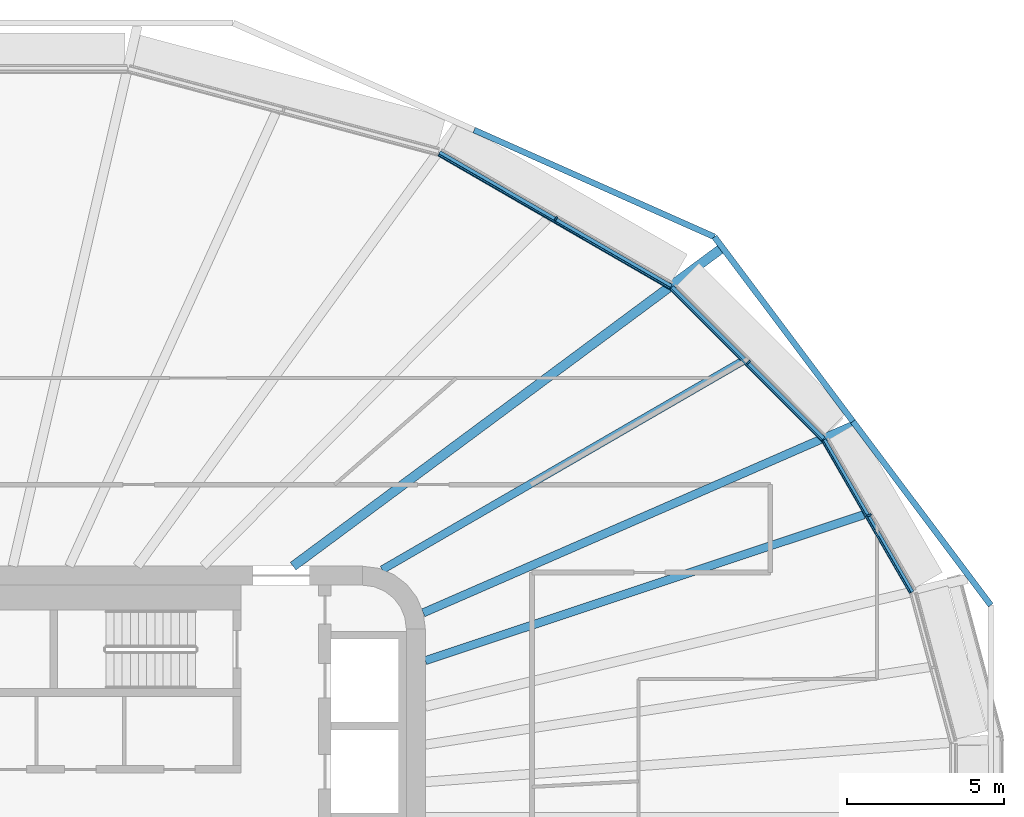
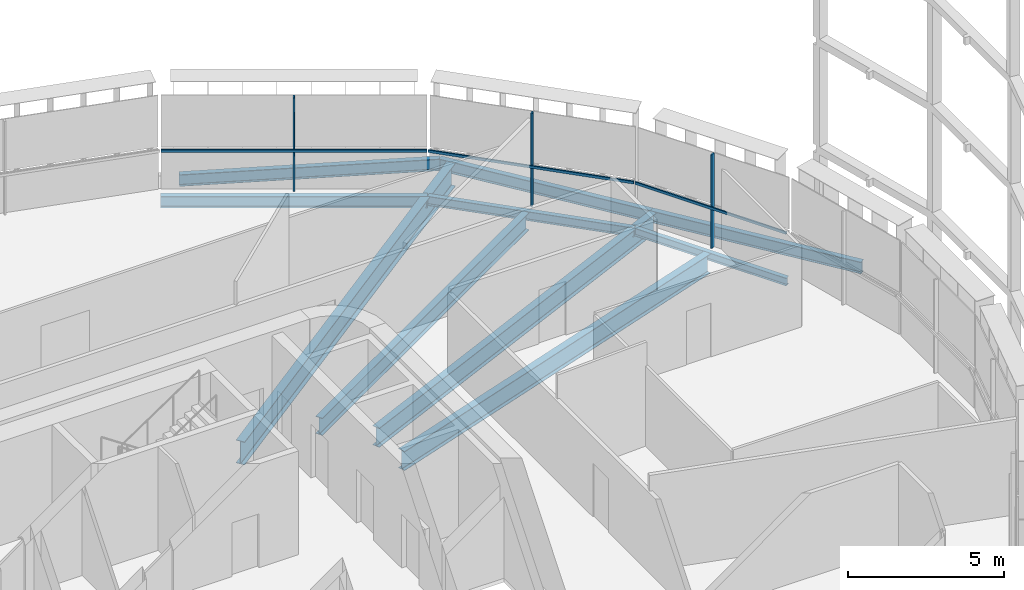
# One storey, part 10 of 26: 10 beams, 6 members, 3 elements without a shape of their own.
"""IFC4 building model written with IfcOpenShell, lengths in metres."""

from ifc_helpers import new_model, si_unit, direction, frame, origin, origin_2d, place, context, subcontext, project, spatial, rectangle, i_section, extrude, material, layer, layer_set, material_profile, profile_set, type_object, element, aggregate, save


model = new_model("IFC4")

# Units and contexts
model_context = context("Model", 3, precision=1e-05, world=origin(), true_north=direction((0.0, 1.0)))
body_context = subcontext(model_context, "Body", "Model", "MODEL_VIEW")
ifc_project = project(units=[si_unit("LENGTHUNIT", "METRE"), si_unit("AREAUNIT", "SQUARE_METRE"), si_unit("VOLUMEUNIT", "CUBIC_METRE"), si_unit("PLANEANGLEUNIT", "RADIAN"), si_unit("MASSUNIT", "GRAM", prefix="KILO")], contexts=[model_context])

# Site, building, storey
site_placement = place(None, origin())
site = spatial("IfcSite", under=ifc_project, at=site_placement, CompositionType="ELEMENT")
building_placement = place(site_placement, origin())
building = spatial("IfcBuilding", under=site, at=building_placement, Name="Sahrelin Media Tower", CompositionType="ELEMENT")
storey_placement = place(building_placement, frame((0.0, 0.0, 102.0)))
storey = spatial("IfcBuildingStorey", under=building, at=storey_placement, Name="L19", CompositionType="ELEMENT", Elevation=102.0)

# Beams
ifc_material_1 = material(Name="Steel S355", Category="steel")
ifc_material_profile_1 = material_profile(ifc_material_1, i_section(OverallWidth=0.1650390625, OverallDepth=0.303466796875, WebThickness=0.006103515625, FlangeThickness=0.01025390625, FilletRadius=0.0087890625, at=origin_2d()), Name="UB 305x165x40")
ifc_profile_set_1 = profile_set([ifc_material_profile_1], Name="Steel S355")
beam_type_1 = type_object("IfcBeamType", Name="Edge beam EB2", PredefinedType="BEAM", material=ifc_profile_set_1)
beam_1_placement = place(storey_placement, frame((27.698486328125, 12.025634765625, -0.3017578125), z_axis=(0.500017404508, -0.866015355054, 0.0), x_axis=(0.866015355054, 0.500017404508, 0.0)))
element("IfcBeam", 1, at=beam_1_placement, inside=storey, type_object=beam_type_1, Name="Edge beam L19-23", PredefinedType="BEAM", context=body_context, shape_type="SweptSolid", body=[
    extrude(i_section(OverallWidth=0.1650390625, OverallDepth=0.303466796875, WebThickness=0.006103515625, FlangeThickness=0.01025390625, FilletRadius=0.0087890625, at=origin_2d()), origin(), (0.0, 0.0, 1.0), 5.612548828125),
])
ifc_material_profile_2 = material_profile(ifc_material_1, i_section(OverallWidth=0.17138671875, OverallDepth=0.35498046875, WebThickness=0.00732421875, FlangeThickness=0.011474609375, FilletRadius=0.01025390625, at=origin_2d()), Name="UB 356x171x51")
ifc_profile_set_2 = profile_set([ifc_material_profile_2], Name="Steel S355")
beam_type_2 = type_object("IfcBeamType", Name="Edge beam EB3", PredefinedType="BEAM", material=ifc_profile_set_2)
beam_2_placement = place(storey_placement, frame((22.849609375, 16.8798828125, -0.327392578125), z_axis=(0.707124646667, -0.707088915255, 0.0), x_axis=(0.707088915255, 0.707124646667, 0.0)))
element("IfcBeam", 2, at=beam_2_placement, inside=storey, type_object=beam_type_2, Name="Edge beam L19-22", PredefinedType="BEAM", context=body_context, shape_type="SweptSolid", body=[
    extrude(i_section(OverallWidth=0.17138671875, OverallDepth=0.35498046875, WebThickness=0.00732421875, FlangeThickness=0.011474609375, FilletRadius=0.01025390625, at=origin_2d()), origin(), (0.0, 0.0, 1.0), 6.832763671875),
])
ifc_material_profile_3 = material_profile(ifc_material_1, i_section(OverallWidth=0.1904296875, OverallDepth=0.45703125, WebThickness=0.009033203125, FlangeThickness=0.014404296875, FilletRadius=0.01025390625, at=origin_2d()), Name="UB 457x191x74")
ifc_profile_set_3 = profile_set([ifc_material_profile_3], Name="Steel S355")
beam_type_3 = type_object("IfcBeamType", Name="Edge beam EB5", PredefinedType="BEAM", material=ifc_profile_set_3)
beam_3_placement = place(storey_placement, frame((15.438232421875, 21.163330078125, -0.37841796875), z_axis=(0.866017364183, -0.500013924739, 0.0), x_axis=(0.500013924739, 0.866017364183, 0.0)))
element("IfcBeam", 3, at=beam_3_placement, inside=storey, type_object=beam_type_3, Name="Edge beam L19-21", PredefinedType="BEAM", context=body_context, shape_type="SweptSolid", body=[
    extrude(i_section(OverallWidth=0.1904296875, OverallDepth=0.45703125, WebThickness=0.009033203125, FlangeThickness=0.014404296875, FilletRadius=0.01025390625, at=origin_2d()), origin(), (0.0, 0.0, 1.0), 8.531494140625),
])

# Curtain wall, member
ifc_material_2 = material(Name="Champagne anodised aluminium 6063-T6", Category="aluminium")
ifc_layer = layer(ifc_material_2, 0.14990234375)
ifc_layer_set = layer_set([ifc_layer], Name="Tower ribbon curtain wall")
curtain_wall_type = type_object("IfcCurtainWallType", Name="Tower ribbon curtain wall", PredefinedType="NOTDEFINED", material=ifc_layer_set)
curtain_wall_1_placement = place(storey_placement, frame((29.231689453125, 9.67041015625, 0.0), z_axis=(0.0, 0.0, 1.0), x_axis=(1.0, 0.0, 0.0)))
curtain_wall_1 = element("IfcCurtainWall", 4, at=curtain_wall_1_placement, inside=storey, type_object=curtain_wall_type, Name="L19:CW:L19-02", PredefinedType="NOTDEFINED")
ifc_material_profile_4 = material_profile(ifc_material_2, rectangle(XDim=0.06005859375, YDim=0.14990234375, at=origin_2d()), Name="Mullion 60x150")
ifc_profile_set_4 = profile_set([ifc_material_profile_4], Name="Champagne anodised aluminium 6063-T6")
member_type_1 = type_object("IfcMemberType", Name="Mullion 60x150 CW1", PredefinedType="MULLION", material=ifc_profile_set_4)
member_1_placement = place(storey_placement, frame((29.1494140625, 9.622802734375, 0.0), z_axis=(0.0, 0.0, 1.0), x_axis=(-0.500004534492, 0.866022785779, 0.0)))
member_1 = element("IfcMember", 5, at=member_1_placement, type_object=member_type_1, Name="L19:CWM:L19-02", PredefinedType="MULLION", context=body_context, shape_type="SweptSolid", body=[
    extrude(rectangle(XDim=0.06005859375, YDim=0.14990234375, at=origin_2d()), origin(), (0.0, 0.0, 1.0), 3.648681640625),
])

curtain_wall_2_placement = place(storey_placement, frame((25.371337890625, 14.5703125, 0.0), z_axis=(0.0, 0.0, 1.0), x_axis=(1.0, 0.0, 0.0)))
curtain_wall_2 = element("IfcCurtainWall", 6, at=curtain_wall_2_placement, inside=storey, type_object=curtain_wall_type, Name="L19:CW:L19-03", PredefinedType="NOTDEFINED")
member_2_placement = place(storey_placement, frame((25.30419921875, 14.503173828125, 0.0), z_axis=(0.0, 0.0, 1.0), x_axis=(-0.707106781187, 0.707106781187, 0.0)))
member_2 = element("IfcMember", 7, at=member_2_placement, type_object=member_type_1, Name="L19:CWM:L19-03", PredefinedType="MULLION", context=body_context, shape_type="SweptSolid", body=[
    extrude(rectangle(XDim=0.06005859375, YDim=0.14990234375, at=origin_2d()), origin(), (0.0, 0.0, 1.0), 3.648681640625),
])

curtain_wall_3_placement = place(storey_placement, frame((19.20751953125, 19.160400390625, 0.0), z_axis=(0.0, 0.0, 1.0), x_axis=(1.0, 0.0, 0.0)))
curtain_wall_3 = element("IfcCurtainWall", 8, at=curtain_wall_3_placement, inside=storey, type_object=curtain_wall_type, Name="L19:CW:L19-04", PredefinedType="NOTDEFINED")
member_3_placement = place(storey_placement, frame((19.159912109375, 19.077880859375, 0.0), z_axis=(0.0, 0.0, 1.0), x_axis=(-0.866024531118, 0.500001511499, 0.0)))
member_3 = element("IfcMember", 9, at=member_3_placement, type_object=member_type_1, Name="L19:CWM:L19-04", PredefinedType="MULLION", context=body_context, shape_type="SweptSolid", body=[
    extrude(rectangle(XDim=0.06005859375, YDim=0.14990234375, at=origin_2d()), origin(), (0.0, 0.0, 1.0), 3.648681640625),
])

# Beams
ifc_material_profile_5 = material_profile(ifc_material_1, i_section(OverallWidth=0.30322265625, OverallDepth=0.903076171875, WebThickness=0.01513671875, FlangeThickness=0.020263671875, FilletRadius=0.01904296875, at=origin_2d()), Name="UB 914x305x201")
ifc_profile_set_5 = profile_set([ifc_material_profile_5], Name="Steel S355")
beam_type_4 = type_object("IfcBeamType", Name="Radial primary beam PB11", PredefinedType="BEAM", material=ifc_profile_set_5)
beam_4_placement = place(storey_placement, frame((10.78466796875, 8.0, -0.6015625), z_axis=(0.803151376875, 0.595775012755, 0.0), x_axis=(-0.595775012755, 0.803151376875, 0.0)))
element("IfcBeam", 10, at=beam_4_placement, inside=storey, type_object=beam_type_4, Name="Radial beam L19-04", PredefinedType="BEAM", context=body_context, shape_type="SweptSolid", body=[
    extrude(i_section(OverallWidth=0.30322265625, OverallDepth=0.903076171875, WebThickness=0.01513671875, FlangeThickness=0.020263671875, FilletRadius=0.01904296875, at=origin_2d()), origin(), (0.0, 0.0, 1.0), 16.952880859375),
])
ifc_material_profile_6 = material_profile(ifc_material_1, i_section(OverallWidth=0.26513671875, OverallDepth=0.75390625, WebThickness=0.0126953125, FlangeThickness=0.017578125, FilletRadius=0.0166015625, at=origin_2d()), Name="UB 762x267x147")
ifc_profile_set_6 = profile_set([ifc_material_profile_6], Name="Steel S355")
beam_type_5 = type_object("IfcBeamType", Name="Radial primary beam PB9", PredefinedType="BEAM", material=ifc_profile_set_6)
beam_5_placement = place(storey_placement, frame((14.9326171875, 6.512939453125, -0.527099609375), z_axis=(0.916601932833, 0.399801071442, 0.0), x_axis=(-0.399801071442, 0.916601932833, 0.0)))
element("IfcBeam", 11, at=beam_5_placement, inside=storey, type_object=beam_type_5, Name="Radial beam L19-03", PredefinedType="BEAM", context=body_context, shape_type="SweptSolid", body=[
    extrude(i_section(OverallWidth=0.26513671875, OverallDepth=0.75390625, WebThickness=0.0126953125, FlangeThickness=0.017578125, FilletRadius=0.0166015625, at=origin_2d()), origin(), (0.0, 0.0, 1.0), 14.927978515625),
])
ifc_material_profile_7 = material_profile(ifc_material_1, i_section(OverallWidth=0.2529296875, OverallDepth=0.677978515625, WebThickness=0.01171875, FlangeThickness=0.01611328125, FilletRadius=0.01513671875, at=origin_2d()), Name="UB 686x254x125")
ifc_profile_set_7 = profile_set([ifc_material_profile_7], Name="Steel S355")
beam_type_6 = type_object("IfcBeamType", Name="Radial secondary beam SB8", PredefinedType="BEAM", material=ifc_profile_set_7)
beam_6_placement = place(storey_placement, frame((13.625, 7.887451171875, -0.489013671875), z_axis=(0.865447741605, 0.500999208134, 0.0), x_axis=(-0.500999208134, 0.865447741605, 0.0)))
element("IfcBeam", 12, at=beam_6_placement, inside=storey, type_object=beam_type_6, Name="Secondary beam L19-03", PredefinedType="BEAM", context=body_context, shape_type="SweptSolid", body=[
    extrude(i_section(OverallWidth=0.2529296875, OverallDepth=0.677978515625, WebThickness=0.01171875, FlangeThickness=0.01611328125, FilletRadius=0.01513671875, at=origin_2d()), origin(), (0.0, 0.0, 1.0), 13.2431640625),
])
ifc_material_profile_8 = material_profile(ifc_material_1, i_section(OverallWidth=0.26513671875, OverallDepth=0.75390625, WebThickness=0.0126953125, FlangeThickness=0.017578125, FilletRadius=0.0166015625, at=origin_2d()), Name="UB 762x267x147")
ifc_profile_set_8 = profile_set([ifc_material_profile_8], Name="Steel S355")
beam_type_7 = type_object("IfcBeamType", Name="Radial secondary beam SB9", PredefinedType="BEAM", material=ifc_profile_set_8)
beam_7_placement = place(storey_placement, frame((15.0, 4.989990234375, -0.527099609375), z_axis=(0.948863762476, 0.31568585692, 0.0), x_axis=(-0.31568585692, 0.948863762476, 0.0)))
element("IfcBeam", 13, at=beam_7_placement, inside=storey, type_object=beam_type_7, Name="Secondary beam L19-02", PredefinedType="BEAM", context=body_context, shape_type="SweptSolid", body=[
    extrude(i_section(OverallWidth=0.26513671875, OverallDepth=0.75390625, WebThickness=0.0126953125, FlangeThickness=0.017578125, FilletRadius=0.0166015625, at=origin_2d()), origin(), (0.0, 0.0, 1.0), 14.7333984375),
])
ifc_material_profile_9 = material_profile(ifc_material_1, i_section(OverallWidth=0.1904296875, OverallDepth=0.45703125, WebThickness=0.009033203125, FlangeThickness=0.014404296875, FilletRadius=0.01025390625, at=origin_2d()), Name="UB 457x191x74")
ifc_profile_set_9 = profile_set([ifc_material_profile_9], Name="Steel S355")
beam_type_8 = type_object("IfcBeamType", Name="Tie chord TC5", PredefinedType="BEAM", material=ifc_profile_set_9)
beam_8_placement = place(storey_placement, frame((16.55615234375, 21.90771484375, -0.37841796875), z_axis=(0.913791133972, -0.406184395901, 0.0), x_axis=(0.406184395901, 0.913791133972, 0.0)))
element("IfcBeam", 14, at=beam_8_placement, inside=storey, type_object=beam_type_8, Name="Tie chord L19-18", PredefinedType="BEAM", context=body_context, shape_type="SweptSolid", body=[
    extrude(i_section(OverallWidth=0.1904296875, OverallDepth=0.45703125, WebThickness=0.009033203125, FlangeThickness=0.014404296875, FilletRadius=0.01025390625, at=origin_2d()), origin(), (0.0, 0.0, 1.0), 8.38427734375),
])
beam_9_placement = place(storey_placement, frame((24.217529296875, 18.502197265625, -0.37841796875), z_axis=(0.60010086925, -0.799924338126, 0.0), x_axis=(0.799924338126, 0.60010086925, 0.0)))
element("IfcBeam", 15, at=beam_9_placement, inside=storey, type_object=beam_type_8, Name="Tie chord L19-19", PredefinedType="BEAM", context=body_context, shape_type="SweptSolid", body=[
    extrude(i_section(OverallWidth=0.1904296875, OverallDepth=0.45703125, WebThickness=0.009033203125, FlangeThickness=0.014404296875, FilletRadius=0.01025390625, at=origin_2d()), origin(), (0.0, 0.0, 1.0), 7.357666015625),
])
beam_10_placement = place(storey_placement, frame((28.6328125, 12.61669921875, -0.37841796875), z_axis=(0.600063983577, -0.799952008319, 0.0), x_axis=(0.799952008319, 0.600063983577, 0.0)))
element("IfcBeam", 16, at=beam_10_placement, inside=storey, type_object=beam_type_8, Name="Tie chord L19-20", PredefinedType="BEAM", context=body_context, shape_type="SweptSolid", body=[
    extrude(i_section(OverallWidth=0.1904296875, OverallDepth=0.45703125, WebThickness=0.009033203125, FlangeThickness=0.014404296875, FilletRadius=0.01025390625, at=origin_2d()), origin(), (0.0, 0.0, 1.0), 7.325927734375),
])

# Member
ifc_material_profile_10 = material_profile(ifc_material_2, rectangle(XDim=0.050048828125, YDim=0.10009765625, at=origin_2d()), Name="Transom 50x100")
ifc_profile_set_10 = profile_set([ifc_material_profile_10], Name="Champagne anodised aluminium 6063-T6")
member_type_2 = type_object("IfcMemberType", Name="Transom 50x100 CW1", PredefinedType="USERDEFINED", material=ifc_profile_set_10)
member_4_placement = place(storey_placement, frame((30.4580078125, 7.156005859375, 1.60009765625), z_axis=(-0.499987512418, 0.866032613373, 0.0), x_axis=(-0.866032613373, -0.499987512418, 0.0)))
member_4 = element("IfcMember", 17, at=member_4_placement, type_object=member_type_2, Name="L19:CWT:L19-02", ObjectType="TRANSOM", PredefinedType="USERDEFINED", context=body_context, shape_type="SweptSolid", body=[
    extrude(rectangle(XDim=0.050048828125, YDim=0.10009765625, at=origin_2d()), origin(), (0.0, 0.0, 1.0), 5.581298828125),
])

aggregate(curtain_wall_1, [member_1, member_4])

member_5_placement = place(storey_placement, frame((27.63818359375, 12.02783203125, 1.60009765625), z_axis=(-0.707106781187, 0.707106781187, 0.0), x_axis=(-0.707106781187, -0.707106781187, 0.0)))
member_5 = element("IfcMember", 18, at=member_5_placement, type_object=member_type_2, Name="L19:CWT:L19-03", ObjectType="TRANSOM", PredefinedType="USERDEFINED", context=body_context, shape_type="SweptSolid", body=[
    extrude(rectangle(XDim=0.050048828125, YDim=0.10009765625, at=origin_2d()), origin(), (0.0, 0.0, 1.0), 6.801513671875),
])

aggregate(curtain_wall_2, [member_2, member_5])

member_6_placement = place(storey_placement, frame((22.79052734375, 16.866455078125, 1.60009765625), z_axis=(-0.866021522889, 0.500006721848, 0.0), x_axis=(-0.500006721848, -0.866021522889, 0.0)))
member_6 = element("IfcMember", 19, at=member_6_placement, type_object=member_type_2, Name="L19:CWT:L19-04", ObjectType="TRANSOM", PredefinedType="USERDEFINED", context=body_context, shape_type="SweptSolid", body=[
    extrude(rectangle(XDim=0.050048828125, YDim=0.10009765625, at=origin_2d()), origin(), (0.0, 0.0, 1.0), 8.5),
])

aggregate(curtain_wall_3, [member_3, member_6])

save(model, "model.ifc")
